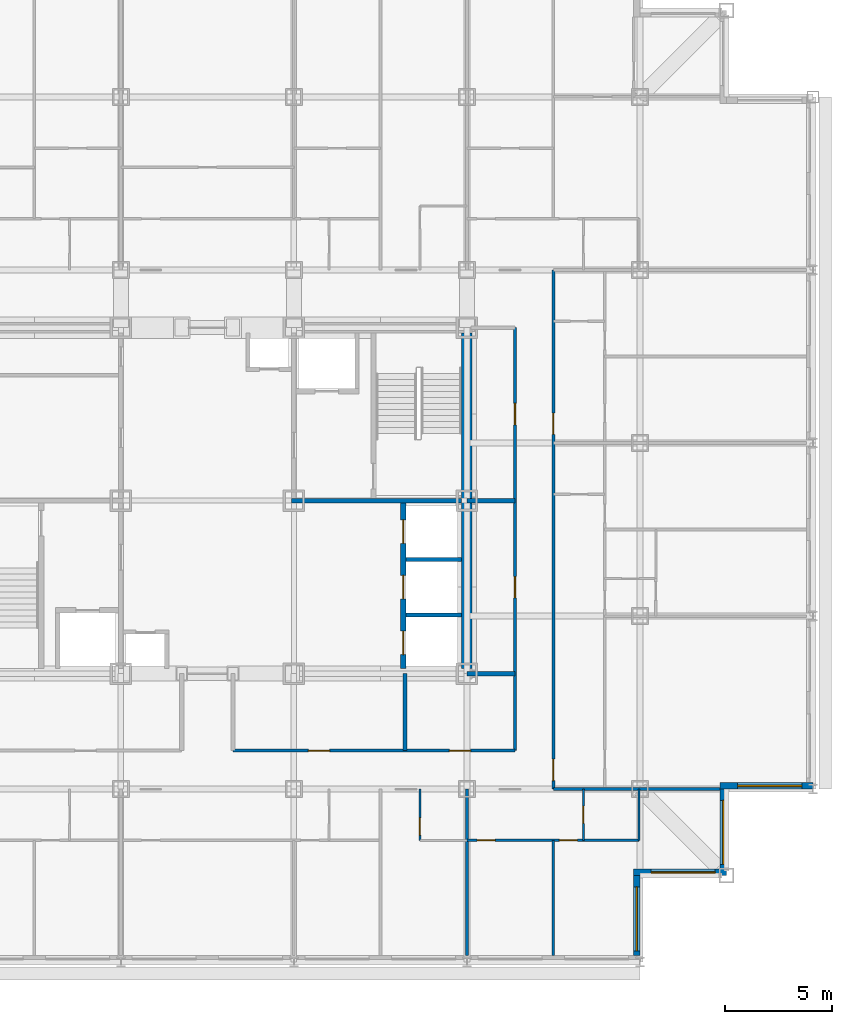
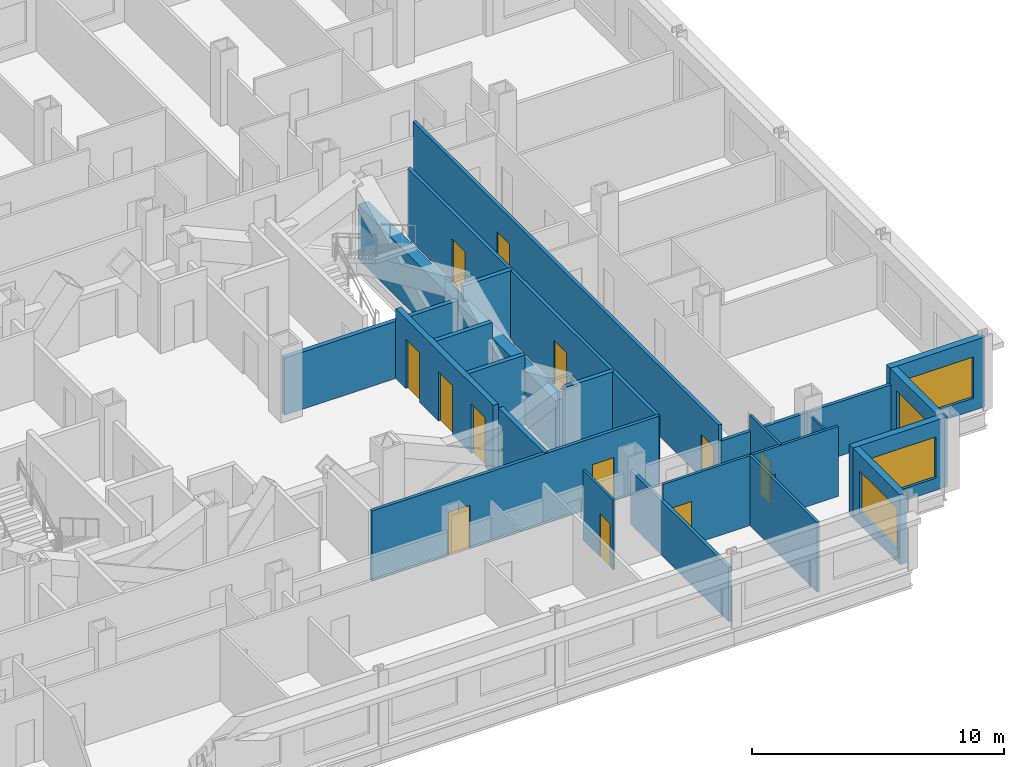
# One storey, part 7 of 12: 22 walls, 13 doors, 4 windows, 17 openings.
"""IFC4 building model written with IfcOpenShell, lengths in metres."""

import ifcopenshell
import ifcopenshell.guid

model = None  # the IFC model being written
_history = None  # IfcOwnerHistory: only IFC2X3 demands one
_inside = {}  # id of a spatial element -> (the spatial element, [elements in it])
_under = {}  # id of a project, library or spatial element -> (it, [spatial elements below it])
_declared = {}  # id of a project -> (the project, [libraries it declares])
_typed = {}  # id of a type object -> (the type object, [elements of that type])
_made_of = {}  # id of a material, layer set ... -> (it, [elements and type objects made of it])


def new_model(schema):
    """Start an empty IFC model of exactly this schema.

    Asked for "IFC4X3", IfcOpenShell would pick the latest addendum, in which some entities
    have other attributes; the version numbers below select the first issue.
    IFC2X3 requires an IfcOwnerHistory on every rooted entity: one is made here for all.
    """
    global model, _history
    if schema == "IFC4X3":
        model = ifcopenshell.file(schema_version=(4, 3, 0, 0))
    else:
        model = ifcopenshell.file(schema=schema)
    _inside.clear()
    _under.clear()
    _declared.clear()
    _typed.clear()
    _made_of.clear()
    _history = None
    if model.schema == "IFC2X3":
        org = make("IfcOrganization", Name="unknown")
        user = make(
            "IfcPersonAndOrganization",
            ThePerson=make("IfcPerson", FamilyName="unknown"),
            TheOrganization=org,
        )
        app = make(
            "IfcApplication",
            ApplicationDeveloper=org,
            Version="unknown",
            ApplicationFullName="unknown",
            ApplicationIdentifier="unknown",
        )
        _history = make(
            "IfcOwnerHistory",
            OwningUser=user,
            OwningApplication=app,
            ChangeAction="ADDED",
            CreationDate=0,
        )
    return model


def make(cls, **values):
    """One entity of the class cls with the attributes given. An attribute that is None is left unset."""
    return model.create_entity(
        cls, **{name: value for name, value in values.items() if value is not None}
    )


def rooted(cls, **values):
    """An entity with a GlobalId (a new one), such as an element, a storey or a relation."""
    return make(cls, GlobalId=ifcopenshell.guid.new(), OwnerHistory=_history, **values)


def si_unit(unit_type, name, prefix=None):
    """IfcSIUnit, for example si_unit("LENGTHUNIT", "METRE", prefix="MILLI")."""
    return make("IfcSIUnit", UnitType=unit_type, Prefix=prefix, Name=name)


def assignment(units):
    """IfcUnitAssignment: the units of a project."""
    return None if units is None else make("IfcUnitAssignment", Units=units)


def point(xyz):
    """IfcCartesianPoint."""
    return None if xyz is None else make("IfcCartesianPoint", Coordinates=xyz)


def direction(xyz):
    """IfcDirection."""
    return None if xyz is None else make("IfcDirection", DirectionRatios=xyz)


def frame(location, z_axis=None, x_axis=None):
    """IfcAxis2Placement3D, a coordinate frame: its origin and axes. An axis left out is left unset."""
    return make(
        "IfcAxis2Placement3D",
        Location=point(location),
        Axis=direction(z_axis),
        RefDirection=direction(x_axis),
    )


def frame_2d(location, x_axis=None):
    """IfcAxis2Placement2D, a coordinate frame in the plane: its origin and x axis."""
    return make(
        "IfcAxis2Placement2D", Location=point(location), RefDirection=direction(x_axis)
    )


def origin():
    """The frame at (0, 0, 0) with its axes left unset."""
    return frame((0.0, 0.0, 0.0))


def place(relative_to, where):
    """IfcLocalPlacement: puts the frame where relative to a parent placement (None: the world)."""
    return make(
        "IfcLocalPlacement", PlacementRelTo=relative_to, RelativePlacement=where
    )


def context(
    kind, dimensions, precision=None, world=None, true_north=None, identifier=None
):
    """IfcGeometricRepresentationContext, for example the 3D "Model" context."""
    return make(
        "IfcGeometricRepresentationContext",
        ContextIdentifier=identifier,
        ContextType=kind,
        CoordinateSpaceDimension=dimensions,
        Precision=precision,
        WorldCoordinateSystem=world,
        TrueNorth=true_north,
    )


def subcontext(parent, identifier, kind, view, scale=None):
    """IfcGeometricRepresentationSubContext, for example "Body" below "Model"."""
    return make(
        "IfcGeometricRepresentationSubContext",
        ContextIdentifier=identifier,
        ContextType=kind,
        ParentContext=parent,
        TargetScale=scale,
        TargetView=view,
    )


def project(units=None, contexts=None):
    """IfcProject with its units and contexts."""
    return rooted(
        "IfcProject",
        Name="project",
        RepresentationContexts=contexts,
        UnitsInContext=assignment(units),
    )


def spatial(cls, under=None, at=None, **own):
    """A site, building, storey or space (cls), placed at a placement, below another one or the project."""
    s = rooted(cls, ObjectPlacement=at, **own)
    if under is not None:
        _under.setdefault(under.id(), (under, []))[1].append(s)
    return s


def profile(cls, at=None, kind="AREA", **sizes):
    """A parametric profile (cls). Its sizes go by their IFC names, for example OverallWidth=200.0."""
    return make(cls, ProfileType=kind, Position=at, **sizes)


def rectangle(**sizes):
    """IfcRectangleProfileDef."""
    return profile("IfcRectangleProfileDef", **sizes)


def extrude(swept, where, along, depth):
    """IfcExtrudedAreaSolid: the profile swept, set in the frame where, extruded along a direction by depth."""
    return make(
        "IfcExtrudedAreaSolid",
        SweptArea=swept,
        Position=where,
        ExtrudedDirection=direction(along),
        Depth=depth,
    )


def shape(context_of_items, identifier, shape_type, items):
    """IfcShapeRepresentation: the items that make up one representation, for example the "Body"."""
    return make(
        "IfcShapeRepresentation",
        ContextOfItems=context_of_items,
        RepresentationIdentifier=identifier,
        RepresentationType=shape_type,
        Items=items,
    )


def material(Name=None, Category=None):
    """IfcMaterial."""
    return make("IfcMaterial", Name=Name, Category=Category)


def layer(
    of_material, thickness, ventilated=None, Name=None, Category=None, Priority=None
):
    """IfcMaterialLayer: one layer of a wall or slab, of a material (None: an air gap)."""
    return make(
        "IfcMaterialLayer",
        Material=of_material,
        LayerThickness=thickness,
        IsVentilated=ventilated,
        Name=Name,
        Category=Category,
        Priority=Priority,
    )


def layer_set(layers, Name=None):
    """IfcMaterialLayerSet."""
    return make("IfcMaterialLayerSet", MaterialLayers=layers, LayerSetName=Name)


def made_of(thing, what):
    """Note that an element or type object is made of a material, layer set ...; save() writes the relation."""
    if what is not None:
        _made_of.setdefault(what.id(), (what, []))[1].append(thing)
    return thing


def type_object(cls, material=None, **own):
    """A type object (cls), such as IfcWallType, which elements share."""
    return made_of(rooted(cls, **own), material)


def element(
    cls,
    number,
    at=None,
    inside=None,
    cuts=None,
    type_object=None,
    material=None,
    context=None,
    identifier="Body",
    shape_type=None,
    held_by="IfcProductDefinitionShape",
    body=None,
    shapes=None,
    **own,
):
    """One element of the class cls, such as IfcWall. Its Tag is "e" and its number.

    at: its placement. inside: the storey or other place that contains it. cuts: it is an
    opening in that element (IfcRelVoidsElement). A single representation is given by context,
    identifier, shape_type and body (its items); several are given by shapes. held_by: the class
    of the entity that holds the representations. save() writes the other relations.
    """
    e = rooted(cls, Tag="e%d" % number, ObjectPlacement=at, **own)
    if body is not None:
        shapes = [shape(context, identifier, shape_type, body)]
    if shapes is not None:
        e.Representation = make(held_by, Representations=shapes)
    if inside is not None:
        _inside.setdefault(inside.id(), (inside, []))[1].append(e)
    if cuts is not None:
        rooted(
            "IfcRelVoidsElement", RelatingBuildingElement=cuts, RelatedOpeningElement=e
        )
    if type_object is not None:
        _typed.setdefault(type_object.id(), (type_object, []))[1].append(e)
    return made_of(e, material)


def fill(opening, filler):
    """IfcRelFillsElement: the door or window that sits in an opening."""
    return rooted(
        "IfcRelFillsElement",
        RelatingOpeningElement=opening,
        RelatedBuildingElement=filler,
    )


def aggregate(whole, parts):
    """IfcRelAggregates: a whole, such as a stair, and the parts it consists of."""
    return rooted("IfcRelAggregates", RelatingObject=whole, RelatedObjects=parts)


def save(model, path):
    """Write the relations noted so far, then the file.

    IfcRelAggregates (storeys below a building ...), IfcRelContainedInSpatialStructure (elements
    in a storey), IfcRelDefinesByType, IfcRelAssociatesMaterial and IfcRelDeclares: one each for
    every whole, place, type object, material and project.
    """
    for whole, parts in _under.values():
        aggregate(whole, parts)
    for where, things in _inside.values():
        rooted(
            "IfcRelContainedInSpatialStructure",
            RelatedElements=things,
            RelatingStructure=where,
        )
    for kind, things in _typed.values():
        rooted("IfcRelDefinesByType", RelatedObjects=things, RelatingType=kind)
    for what, things in _made_of.values():
        rooted("IfcRelAssociatesMaterial", RelatedObjects=things, RelatingMaterial=what)
    for by, libraries in _declared.values():
        rooted("IfcRelDeclares", RelatingContext=by, RelatedDefinitions=libraries)
    model.write(path)


model = new_model("IFC4")

# Units and contexts
model_context = context("Model", 3, precision=1e-05, world=origin(), true_north=direction((0.0, 1.0)))
body_context = subcontext(model_context, "Body", "Model", "MODEL_VIEW")
ifc_project = project(units=[si_unit("LENGTHUNIT", "METRE"), si_unit("AREAUNIT", "SQUARE_METRE"), si_unit("VOLUMEUNIT", "CUBIC_METRE"), si_unit("PLANEANGLEUNIT", "RADIAN"), si_unit("MASSUNIT", "GRAM", prefix="KILO")], contexts=[model_context])

# Site, building, storey
site_placement = place(None, origin())
site = spatial("IfcSite", under=ifc_project, at=site_placement, CompositionType="ELEMENT")
building_placement = place(site_placement, origin())
building = spatial("IfcBuilding", under=site, at=building_placement, Name="Kopane Lantern Tower", CompositionType="ELEMENT")
storey_placement = place(building_placement, frame((0.0, 0.0, 224.39990234375)))
storey = spatial("IfcBuildingStorey", under=building, at=storey_placement, Name="L58", CompositionType="ELEMENT", Elevation=224.39990234375)

# Wall, openings, doors
ifc_material_1 = material(Name="Gypsum board on steel studs", Category="steel")
ifc_layer_1 = layer(ifc_material_1, 0.1201171875)
ifc_layer_set_1 = layer_set([ifc_layer_1], Name="APARTMENT INTERNAL WALL 120")
wall_type_1 = type_object("IfcWallType", Name="APARTMENT INTERNAL WALL 120", PredefinedType="PARTITIONING", material=ifc_layer_set_1)
wall_1_placement = place(storey_placement, frame((40.5, 16.5, 0.0), z_axis=(0.0, 0.0, 1.0), x_axis=(1.0, 0.0, 0.0)))
wall_1 = element("IfcWall", 1, at=wall_1_placement, inside=storey, type_object=wall_type_1, Name="Apartment Internal Wall 120 L58", PredefinedType="PARTITIONING", context=body_context, shape_type="SweptSolid", body=[
    extrude(rectangle(XDim=8.050048828125, YDim=0.1201171875, at=frame_2d((4.02490234375, 0.0))), origin(), (0.0, 0.0, 1.0), 3.39013671875),
])
opening_1_placement = place(wall_1_placement, frame((0.47509765625, 0.0, 0.0)))
opening_1 = element("IfcOpeningElement", 2, at=opening_1_placement, cuts=wall_1, Name="Opening L58-055", PredefinedType="OPENING", context=body_context, shape_type="SweptSolid", body=[
    extrude(rectangle(XDim=0.85009765625, YDim=2.10009765625, at=frame_2d((0.425048828125, 1.050048828125))), frame((0.0, 0.070068359375, 0.0), z_axis=(0.0, -1.0, 0.0), x_axis=(1.0, 0.0, 0.0)), (0.0, 0.0, 1.0), 0.14013671875),
])
opening_2_placement = place(wall_1_placement, frame((4.324951171875, 0.0, 0.0)))
opening_2 = element("IfcOpeningElement", 3, at=opening_2_placement, cuts=wall_1, Name="Opening L58-057", PredefinedType="OPENING", context=body_context, shape_type="SweptSolid", body=[
    extrude(rectangle(XDim=0.85009765625, YDim=2.10009765625, at=frame_2d((0.425048828125, 1.050048828125))), frame((0.0, 0.070068359375, 0.0), z_axis=(0.0, -1.0, 0.0), x_axis=(1.0, 0.0, 0.0)), (0.0, 0.0, 1.0), 0.14013671875),
])
ifc_material_2 = material(Name="Timber door set", Category="wood")
door_type_1 = type_object("IfcDoorType", Name="DOOR D4 850x2100", OperationType="SINGLE_SWING_LEFT", PredefinedType="DOOR", material=ifc_material_2)
door_1_placement = place(opening_1_placement, origin())
door_1 = element("IfcDoor", 4, at=door_1_placement, inside=storey, type_object=door_type_1, Name="Door L58-055", OperationType="SINGLE_SWING_LEFT", OverallHeight=2.10009765625, OverallWidth=0.85009765625, PredefinedType="DOOR", context=body_context, shape_type="SweptSolid", body=[
    extrude(rectangle(XDim=0.85009765625, YDim=2.10009765625, at=frame_2d((0.425048828125, 1.050048828125))), frame((0.0, 0.02490234375, 0.0), z_axis=(0.0, -1.0, 0.0), x_axis=(1.0, 0.0, 0.0)), (0.0, 0.0, 1.0), 0.050048828125),
])
fill(opening_1, door_1)
door_2_placement = place(opening_2_placement, origin())
door_2 = element("IfcDoor", 5, at=door_2_placement, inside=storey, type_object=door_type_1, Name="Door L58-057", OperationType="SINGLE_SWING_RIGHT", OverallHeight=2.10009765625, OverallWidth=0.85009765625, PredefinedType="DOOR", context=body_context, shape_type="SweptSolid", body=[
    extrude(rectangle(XDim=0.85009765625, YDim=2.10009765625, at=frame_2d((0.425048828125, 1.050048828125))), frame((0.0, 0.02490234375, 0.0), z_axis=(0.0, -1.0, 0.0), x_axis=(1.0, 0.0, 0.0)), (0.0, 0.0, 1.0), 0.050048828125),
])
fill(opening_2, door_2)

# Wall
wall_2_placement = place(storey_placement, frame((44.550048828125, 16.5, 0.0), z_axis=(0.0, 0.0, 1.0), x_axis=(0.0, -1.0, 0.0)))
element("IfcWall", 6, at=wall_2_placement, inside=storey, type_object=wall_type_1, Name="Apartment Internal Wall 120 L58", PredefinedType="PARTITIONING", context=body_context, shape_type="SweptSolid", body=[
    extrude(rectangle(XDim=5.39990234375, YDim=0.1201171875, at=frame_2d((2.699951171875, 0.0))), origin(), (0.0, 0.0, 1.0), 3.39013671875),
])

# Wall, opening, door
ifc_material_3 = material(Name="Moisture-resistant board on steel studs", Category="steel")
ifc_layer_2 = layer(ifc_material_3, 0.10009765625)
ifc_layer_set_2 = layer_set([ifc_layer_2], Name="BATHROOM WALL 100")
wall_type_2 = type_object("IfcWallType", Name="BATHROOM WALL 100", PredefinedType="PARTITIONING", material=ifc_layer_set_2)
wall_3_placement = place(storey_placement, frame((38.300048828125, 18.89990234375, 0.0), z_axis=(0.0, 0.0, 1.0), x_axis=(0.0, -1.0, 0.0)))
wall_3 = element("IfcWall", 7, at=wall_3_placement, inside=storey, type_object=wall_type_2, Name="Bathroom Wall 100 L58", PredefinedType="PARTITIONING", context=body_context, shape_type="SweptSolid", body=[
    extrude(rectangle(XDim=2.39990234375, YDim=0.10009765625, at=frame_2d((1.199951171875, 0.0))), origin(), (0.0, 0.0, 1.0), 3.39013671875),
])
opening_3_placement = place(wall_3_placement, frame((1.35009765625, 0.0, 0.0)))
opening_3 = element("IfcOpeningElement", 8, at=opening_3_placement, cuts=wall_3, Name="Opening L58-020", PredefinedType="OPENING", context=body_context, shape_type="SweptSolid", body=[
    extrude(rectangle(XDim=0.800048828125, YDim=2.10009765625, at=frame_2d((0.39990234375, 1.050048828125))), frame((0.0, 0.06005859375, 0.0), z_axis=(0.0, -1.0, 0.0), x_axis=(1.0, 0.0, 0.0)), (0.0, 0.0, 1.0), 0.1201171875),
])
ifc_material_4 = material(Name="Timber door set", Category="wood")
door_type_2 = type_object("IfcDoorType", Name="DOOR D2 800x2100", OperationType="SINGLE_SWING_LEFT", PredefinedType="DOOR", material=ifc_material_4)
door_3_placement = place(opening_3_placement, origin())
door_3 = element("IfcDoor", 9, at=door_3_placement, inside=storey, type_object=door_type_2, Name="Door L58-020", OperationType="SINGLE_SWING_RIGHT", OverallHeight=2.10009765625, OverallWidth=0.800048828125, PredefinedType="DOOR", context=body_context, shape_type="SweptSolid", body=[
    extrude(rectangle(XDim=0.800048828125, YDim=2.10009765625, at=frame_2d((0.39990234375, 1.050048828125))), frame((0.0, 0.02490234375, 0.0), z_axis=(0.0, -1.0, 0.0), x_axis=(1.0, 0.0, 0.0)), (0.0, 0.0, 1.0), 0.050048828125),
])
fill(opening_3, door_3)

wall_4_placement = place(storey_placement, frame((45.949951171875, 18.89990234375, 0.0), z_axis=(0.0, 0.0, 1.0), x_axis=(0.0, -1.0, 0.0)))
wall_4 = element("IfcWall", 10, at=wall_4_placement, inside=storey, type_object=wall_type_2, Name="Bathroom Wall 100 L58", PredefinedType="PARTITIONING", context=body_context, shape_type="SweptSolid", body=[
    extrude(rectangle(XDim=2.39990234375, YDim=0.10009765625, at=frame_2d((1.199951171875, 0.0))), origin(), (0.0, 0.0, 1.0), 3.39013671875),
])
opening_4_placement = place(wall_4_placement, frame((0.800048828125, 0.0, 0.0)))
opening_4 = element("IfcOpeningElement", 11, at=opening_4_placement, cuts=wall_4, Name="Opening L58-056", PredefinedType="OPENING", context=body_context, shape_type="SweptSolid", body=[
    extrude(rectangle(XDim=0.800048828125, YDim=2.10009765625, at=frame_2d((0.39990234375, 1.050048828125))), frame((0.0, 0.06005859375, 0.0), z_axis=(0.0, -1.0, 0.0), x_axis=(1.0, 0.0, 0.0)), (0.0, 0.0, 1.0), 0.1201171875),
])
door_4_placement = place(opening_4_placement, origin())
door_4 = element("IfcDoor", 12, at=door_4_placement, inside=storey, type_object=door_type_2, Name="Door L58-056", OperationType="SINGLE_SWING_LEFT", OverallHeight=2.10009765625, OverallWidth=0.800048828125, PredefinedType="DOOR", context=body_context, shape_type="SweptSolid", body=[
    extrude(rectangle(XDim=0.800048828125, YDim=2.10009765625, at=frame_2d((0.39990234375, 1.050048828125))), frame((0.0, 0.02490234375, 0.0), z_axis=(0.0, -1.0, 0.0), x_axis=(1.0, 0.0, 0.0)), (0.0, 0.0, 1.0), 0.050048828125),
])
fill(opening_4, door_4)

# Walls
wall_5_placement = place(storey_placement, frame((48.550048828125, 18.89990234375, 0.0), z_axis=(0.0, 0.0, 1.0), x_axis=(0.0, -1.0, 0.0)))
element("IfcWall", 13, at=wall_5_placement, inside=storey, type_object=wall_type_2, Name="Bathroom Wall 100 L58", PredefinedType="PARTITIONING", context=body_context, shape_type="SweptSolid", body=[
    extrude(rectangle(XDim=2.39990234375, YDim=0.10009765625, at=frame_2d((1.199951171875, 0.0))), origin(), (0.0, 0.0, 1.0), 2.6279296875),
])
ifc_material_5 = material(Name="Gypsum shaft wall EI 120", Category="gypsum")
ifc_layer_3 = layer(ifc_material_5, 0.5)
ifc_layer_set_3 = layer_set([ifc_layer_3], Name="CORE PERIMETER WALL 500 EI 120")
wall_type_3 = type_object("IfcWallType", Name="CORE PERIMETER WALL 500 EI 120", PredefinedType="SOLIDWALL", material=ifc_layer_set_3)
wall_6_placement = place(storey_placement, frame((40.5, 24.550048828125, 0.0), z_axis=(0.0, 0.0, 1.0), x_axis=(0.0, 1.0, 0.0)))
element("IfcWall", 14, at=wall_6_placement, inside=storey, type_object=wall_type_3, Name="Core shaft wall L58 PE", PredefinedType="SOLIDWALL", context=body_context, shape_type="SweptSolid", body=[
    extrude(rectangle(XDim=15.699951171875, YDim=0.5, at=frame_2d((7.85009765625, 0.0))), origin(), (0.0, 0.0, 1.0), 2.6279296875),
])

# Wall, openings, doors
ifc_material_6 = material(Name="Gypsum shaft wall EI 120", Category="gypsum")
ifc_layer_4 = layer(ifc_material_6, 0.25)
ifc_layer_set_4 = layer_set([ifc_layer_4], Name="CORE SHAFT WALL 250 EI 120")
wall_type_4 = type_object("IfcWallType", Name="CORE SHAFT WALL 250 EI 120", PredefinedType="SOLIDWALL", material=ifc_layer_set_4)
wall_7_placement = place(storey_placement, frame((37.52490234375, 24.550048828125, 0.0), z_axis=(0.0, 0.0, 1.0), x_axis=(0.0, 1.0, 0.0)))
wall_7 = element("IfcWall", 15, at=wall_7_placement, inside=storey, type_object=wall_type_4, Name="Core shaft wall L58 XLR", PredefinedType="SOLIDWALL", context=body_context, shape_type="SweptSolid", body=[
    extrude(rectangle(XDim=7.75, YDim=0.25, at=frame_2d((3.875, 0.0))), origin(), (0.0, 0.0, 1.0), 3.39013671875),
])
opening_5_placement = place(wall_7_placement, frame((0.64990234375, 0.0, 0.0)))
opening_5 = element("IfcOpeningElement", 16, at=opening_5_placement, cuts=wall_7, Name="Opening 58.LD-LR1", PredefinedType="OPENING", context=body_context, shape_type="SweptSolid", body=[
    extrude(rectangle(XDim=1.10009765625, YDim=2.39990234375, at=frame_2d((0.550048828125, 1.199951171875))), frame((0.0, 0.135009765625, 0.0), z_axis=(0.0, -1.0, 0.0), x_axis=(1.0, 0.0, 0.0)), (0.0, 0.0, 1.0), 0.27001953125),
])
opening_6_placement = place(wall_7_placement, frame((3.25, 0.0, 0.0)))
opening_6 = element("IfcOpeningElement", 17, at=opening_6_placement, cuts=wall_7, Name="Opening 58.LD-LR2", PredefinedType="OPENING", context=body_context, shape_type="SweptSolid", body=[
    extrude(rectangle(XDim=1.10009765625, YDim=2.39990234375, at=frame_2d((0.550048828125, 1.199951171875))), frame((0.0, 0.135009765625, 0.0), z_axis=(0.0, -1.0, 0.0), x_axis=(1.0, 0.0, 0.0)), (0.0, 0.0, 1.0), 0.27001953125),
])
opening_7_placement = place(wall_7_placement, frame((5.85009765625, 0.0, 0.0)))
opening_7 = element("IfcOpeningElement", 18, at=opening_7_placement, cuts=wall_7, Name="Opening 58.LD-LR3", PredefinedType="OPENING", context=body_context, shape_type="SweptSolid", body=[
    extrude(rectangle(XDim=1.10009765625, YDim=2.39990234375, at=frame_2d((0.550048828125, 1.199951171875))), frame((0.0, 0.135009765625, 0.0), z_axis=(0.0, -1.0, 0.0), x_axis=(1.0, 0.0, 0.0)), (0.0, 0.0, 1.0), 0.27001953125),
])
ifc_material_7 = material(Name="Steel door set", Category="steel")
door_type_3 = type_object("IfcDoorType", Name="LIFT LANDING DOOR 1100x2400 FD60", OperationType="DOUBLE_DOOR_SLIDING", PredefinedType="DOOR", material=ifc_material_7)
door_5_placement = place(opening_5_placement, origin())
door_5 = element("IfcDoor", 19, at=door_5_placement, inside=storey, type_object=door_type_3, Name="Landing door LR1 L58", OperationType="DOUBLE_DOOR_SLIDING", OverallHeight=2.39990234375, OverallWidth=1.10009765625, PredefinedType="DOOR", context=body_context, shape_type="SweptSolid", body=[
    extrude(rectangle(XDim=1.10009765625, YDim=2.39990234375, at=frame_2d((0.550048828125, 1.199951171875))), frame((0.0, 0.02490234375, 0.0), z_axis=(0.0, -1.0, 0.0), x_axis=(1.0, 0.0, 0.0)), (0.0, 0.0, 1.0), 0.050048828125),
])
fill(opening_5, door_5)
door_6_placement = place(opening_6_placement, origin())
door_6 = element("IfcDoor", 20, at=door_6_placement, inside=storey, type_object=door_type_3, Name="Landing door LR2 L58", OperationType="DOUBLE_DOOR_SLIDING", OverallHeight=2.39990234375, OverallWidth=1.10009765625, PredefinedType="DOOR", context=body_context, shape_type="SweptSolid", body=[
    extrude(rectangle(XDim=1.10009765625, YDim=2.39990234375, at=frame_2d((0.550048828125, 1.199951171875))), frame((0.0, 0.02490234375, 0.0), z_axis=(0.0, -1.0, 0.0), x_axis=(1.0, 0.0, 0.0)), (0.0, 0.0, 1.0), 0.050048828125),
])
fill(opening_6, door_6)
door_7_placement = place(opening_7_placement, origin())
door_7 = element("IfcDoor", 21, at=door_7_placement, inside=storey, type_object=door_type_3, Name="Landing door LR3 L58", OperationType="DOUBLE_DOOR_SLIDING", OverallHeight=2.39990234375, OverallWidth=1.10009765625, PredefinedType="DOOR", context=body_context, shape_type="SweptSolid", body=[
    extrude(rectangle(XDim=1.10009765625, YDim=2.39990234375, at=frame_2d((0.550048828125, 1.199951171875))), frame((0.0, 0.02490234375, 0.0), z_axis=(0.0, -1.0, 0.0), x_axis=(1.0, 0.0, 0.0)), (0.0, 0.0, 1.0), 0.050048828125),
])
fill(opening_7, door_7)

ifc_material_8 = material(Name="Gypsum board on steel studs", Category="steel")
ifc_layer_5 = layer(ifc_material_8, 0.14990234375)
ifc_layer_set_5 = layer_set([ifc_layer_5], Name="CORRIDOR WALL 150 EI 60")
wall_type_5 = type_object("IfcWallType", Name="CORRIDOR WALL 150 EI 60", PredefinedType="PARTITIONING", material=ifc_layer_set_5)
wall_8_placement = place(storey_placement, frame((44.550048828125, 18.89990234375, 0.0), z_axis=(0.0, 0.0, 1.0), x_axis=(0.0, 1.0, 0.0)))
wall_8 = element("IfcWall", 22, at=wall_8_placement, inside=storey, type_object=wall_type_5, Name="Corridor Wall 150 Ei 60 L58", PredefinedType="PARTITIONING", context=body_context, shape_type="SweptSolid", body=[
    extrude(rectangle(XDim=24.300048828125, YDim=0.14990234375, at=frame_2d((12.14990234375, 0.0))), origin(), (0.0, 0.0, 1.0), 3.39013671875),
])
opening_8_placement = place(wall_8_placement, frame((0.39990234375, 0.0, 0.0)))
opening_8 = element("IfcOpeningElement", 23, at=opening_8_placement, cuts=wall_8, Name="Opening L58-042", PredefinedType="OPENING", context=body_context, shape_type="SweptSolid", body=[
    extrude(rectangle(XDim=1.0, YDim=2.10009765625, at=frame_2d((0.5, 1.050048828125))), frame((0.0, 0.0849609375, 0.0), z_axis=(0.0, -1.0, 0.0), x_axis=(1.0, 0.0, 0.0)), (0.0, 0.0, 1.0), 0.169921875),
])
opening_9_placement = place(wall_8_placement, frame((16.60009765625, 0.0, 0.0)))
opening_9 = element("IfcOpeningElement", 24, at=opening_9_placement, cuts=wall_8, Name="Opening L58-048", PredefinedType="OPENING", context=body_context, shape_type="SweptSolid", body=[
    extrude(rectangle(XDim=1.0, YDim=2.10009765625, at=frame_2d((0.5, 1.050048828125))), frame((0.0, 0.0849609375, 0.0), z_axis=(0.0, -1.0, 0.0), x_axis=(1.0, 0.0, 0.0)), (0.0, 0.0, 1.0), 0.169921875),
])
ifc_material_9 = material(Name="Steel door set", Category="steel")
door_type_4 = type_object("IfcDoorType", Name="DOOR D3 1000x2100 FD30S", OperationType="SINGLE_SWING_LEFT", PredefinedType="DOOR", material=ifc_material_9)
door_8_placement = place(opening_8_placement, origin())
door_8 = element("IfcDoor", 25, at=door_8_placement, inside=storey, type_object=door_type_4, Name="Door L58-042", OperationType="SINGLE_SWING_RIGHT", OverallHeight=2.10009765625, OverallWidth=1.0, PredefinedType="DOOR", context=body_context, shape_type="SweptSolid", body=[
    extrude(rectangle(XDim=1.0, YDim=2.10009765625, at=frame_2d((0.5, 1.050048828125))), frame((0.0, 0.02490234375, 0.0), z_axis=(0.0, -1.0, 0.0), x_axis=(1.0, 0.0, 0.0)), (0.0, 0.0, 1.0), 0.050048828125),
])
fill(opening_8, door_8)
door_9_placement = place(opening_9_placement, origin())
door_9 = element("IfcDoor", 26, at=door_9_placement, inside=storey, type_object=door_type_4, Name="Door L58-048", OperationType="SINGLE_SWING_RIGHT", OverallHeight=2.10009765625, OverallWidth=1.0, PredefinedType="DOOR", context=body_context, shape_type="SweptSolid", body=[
    extrude(rectangle(XDim=1.0, YDim=2.10009765625, at=frame_2d((0.5, 1.050048828125))), frame((0.0, 0.02490234375, 0.0), z_axis=(0.0, -1.0, 0.0), x_axis=(1.0, 0.0, 0.0)), (0.0, 0.0, 1.0), 0.050048828125),
])
fill(opening_9, door_9)

wall_9_placement = place(storey_placement, frame((42.75, 20.699951171875, 0.0), z_axis=(0.0, 0.0, 1.0), x_axis=(0.0, 1.0, 0.0)))
wall_9 = element("IfcWall", 27, at=wall_9_placement, inside=storey, type_object=wall_type_5, Name="Corridor Wall 150 Ei 60 L58", PredefinedType="PARTITIONING", context=body_context, shape_type="SweptSolid", body=[
    extrude(rectangle(XDim=19.800048828125, YDim=0.14990234375, at=frame_2d((9.89990234375, 0.0))), origin(), (0.0, 0.0, 1.0), 3.39013671875),
])
opening_10_placement = place(wall_9_placement, frame((7.14990234375, 0.0, 0.0)))
opening_10 = element("IfcOpeningElement", 28, at=opening_10_placement, cuts=wall_9, Name="Opening L58-005", PredefinedType="OPENING", context=body_context, shape_type="SweptSolid", body=[
    extrude(rectangle(XDim=1.0, YDim=2.10009765625, at=frame_2d((0.5, 1.050048828125))), frame((0.0, 0.0849609375, 0.0), z_axis=(0.0, -1.0, 0.0), x_axis=(1.0, 0.0, 0.0)), (0.0, 0.0, 1.0), 0.169921875),
])
opening_11_placement = place(wall_9_placement, frame((15.25, 0.0, 0.0)))
opening_11 = element("IfcOpeningElement", 29, at=opening_11_placement, cuts=wall_9, Name="Opening L58-006", PredefinedType="OPENING", context=body_context, shape_type="SweptSolid", body=[
    extrude(rectangle(XDim=1.0, YDim=2.10009765625, at=frame_2d((0.5, 1.050048828125))), frame((0.0, 0.0849609375, 0.0), z_axis=(0.0, -1.0, 0.0), x_axis=(1.0, 0.0, 0.0)), (0.0, 0.0, 1.0), 0.169921875),
])
ifc_material_10 = material(Name="Steel door set", Category="steel")
door_type_5 = type_object("IfcDoorType", Name="DOOR D5 1000x2100 FD60", OperationType="SINGLE_SWING_LEFT", PredefinedType="DOOR", material=ifc_material_10)
door_10_placement = place(opening_10_placement, origin())
door_10 = element("IfcDoor", 30, at=door_10_placement, inside=storey, type_object=door_type_5, Name="Door L58-005", OperationType="SINGLE_SWING_LEFT", OverallHeight=2.10009765625, OverallWidth=1.0, PredefinedType="DOOR", context=body_context, shape_type="SweptSolid", body=[
    extrude(rectangle(XDim=1.0, YDim=2.10009765625, at=frame_2d((0.5, 1.050048828125))), frame((0.0, 0.02490234375, 0.0), z_axis=(0.0, -1.0, 0.0), x_axis=(1.0, 0.0, 0.0)), (0.0, 0.0, 1.0), 0.050048828125),
])
fill(opening_10, door_10)
door_11_placement = place(opening_11_placement, origin())
door_11 = element("IfcDoor", 31, at=door_11_placement, inside=storey, type_object=door_type_5, Name="Door L58-006", OperationType="SINGLE_SWING_RIGHT", OverallHeight=2.10009765625, OverallWidth=1.0, PredefinedType="DOOR", context=body_context, shape_type="SweptSolid", body=[
    extrude(rectangle(XDim=1.0, YDim=2.10009765625, at=frame_2d((0.5, 1.050048828125))), frame((0.0, 0.02490234375, 0.0), z_axis=(0.0, -1.0, 0.0), x_axis=(1.0, 0.0, 0.0)), (0.0, 0.0, 1.0), 0.050048828125),
])
fill(opening_11, door_11)

wall_10_placement = place(storey_placement, frame((29.56005859375, 20.699951171875, 0.0), z_axis=(0.0, 0.0, 1.0), x_axis=(1.0, 0.0, 0.0)))
wall_10 = element("IfcWall", 32, at=wall_10_placement, inside=storey, type_object=wall_type_5, Name="Corridor Wall 150 Ei 60 L58", PredefinedType="PARTITIONING", context=body_context, shape_type="SweptSolid", body=[
    extrude(rectangle(XDim=13.18994140625, YDim=0.14990234375, at=frame_2d((6.594970703125, 0.0))), origin(), (0.0, 0.0, 1.0), 3.39013671875),
])
opening_12_placement = place(wall_10_placement, frame((3.517822265625, 0.0, 0.0)))
opening_12 = element("IfcOpeningElement", 33, at=opening_12_placement, cuts=wall_10, Name="Opening L58-010", PredefinedType="OPENING", context=body_context, shape_type="SweptSolid", body=[
    extrude(rectangle(XDim=1.0, YDim=2.10009765625, at=frame_2d((0.5, 1.050048828125))), frame((0.0, 0.0849609375, 0.0), z_axis=(0.0, -1.0, 0.0), x_axis=(1.0, 0.0, 0.0)), (0.0, 0.0, 1.0), 0.169921875),
])
opening_13_placement = place(wall_10_placement, frame((10.117919921875, 0.0, 0.0)))
opening_13 = element("IfcOpeningElement", 34, at=opening_13_placement, cuts=wall_10, Name="Opening L58-011", PredefinedType="OPENING", context=body_context, shape_type="SweptSolid", body=[
    extrude(rectangle(XDim=1.0, YDim=2.10009765625, at=frame_2d((0.5, 1.050048828125))), frame((0.0, 0.0849609375, 0.0), z_axis=(0.0, -1.0, 0.0), x_axis=(1.0, 0.0, 0.0)), (0.0, 0.0, 1.0), 0.169921875),
])
door_12_placement = place(opening_12_placement, origin())
door_12 = element("IfcDoor", 35, at=door_12_placement, inside=storey, type_object=door_type_5, Name="Door L58-010", OperationType="SINGLE_SWING_LEFT", OverallHeight=2.10009765625, OverallWidth=1.0, PredefinedType="DOOR", context=body_context, shape_type="SweptSolid", body=[
    extrude(rectangle(XDim=1.0, YDim=2.10009765625, at=frame_2d((0.5, 1.050048828125))), frame((0.0, 0.02490234375, 0.0), z_axis=(0.0, -1.0, 0.0), x_axis=(1.0, 0.0, 0.0)), (0.0, 0.0, 1.0), 0.050048828125),
])
fill(opening_12, door_12)
door_13_placement = place(opening_13_placement, origin())
door_13 = element("IfcDoor", 36, at=door_13_placement, inside=storey, type_object=door_type_5, Name="Door L58-011", OperationType="SINGLE_SWING_RIGHT", OverallHeight=2.10009765625, OverallWidth=1.0, PredefinedType="DOOR", context=body_context, shape_type="SweptSolid", body=[
    extrude(rectangle(XDim=1.0, YDim=2.10009765625, at=frame_2d((0.5, 1.050048828125))), frame((0.0, 0.02490234375, 0.0), z_axis=(0.0, -1.0, 0.0), x_axis=(1.0, 0.0, 0.0)), (0.0, 0.0, 1.0), 0.050048828125),
])
fill(opening_13, door_13)

# Walls
ifc_material_11 = material(Name="Gypsum board on steel studs", Category="steel")
ifc_layer_6 = layer(ifc_material_11, 0.14990234375)
ifc_layer_set_6 = layer_set([ifc_layer_6], Name="DEMISING WALL 150 EI 60")
wall_type_6 = type_object("IfcWallType", Name="DEMISING WALL 150 EI 60", PredefinedType="PARTITIONING", material=ifc_layer_set_6)
wall_11_placement = place(storey_placement, frame((44.550048828125, 18.89990234375, 0.0), z_axis=(0.0, 0.0, 1.0), x_axis=(1.0, 0.0, 0.0)))
element("IfcWall", 37, at=wall_11_placement, inside=storey, type_object=wall_type_6, Name="Demising Wall 150 Ei 60 L58", PredefinedType="PARTITIONING", context=body_context, shape_type="SweptSolid", body=[
    extrude(rectangle(XDim=7.800048828125, YDim=0.14990234375, at=frame_2d((3.89990234375, 0.0))), origin(), (0.0, 0.0, 1.0), 2.6279296875),
])
wall_12_placement = place(storey_placement, frame((40.5, 18.89990234375, 0.0), z_axis=(0.0, 0.0, 1.0), x_axis=(0.0, -1.0, 0.0)))
element("IfcWall", 38, at=wall_12_placement, inside=storey, type_object=wall_type_6, Name="Demising Wall 150 Ei 60 L58", PredefinedType="PARTITIONING", context=body_context, shape_type="SweptSolid", body=[
    extrude(rectangle(XDim=7.7998046875, YDim=0.14990234375, at=frame_2d((3.89990234375, 0.0))), origin(), (0.0, 0.0, 1.0), 2.6279296875),
])

# Wall, opening, window
ifc_material_12 = material(Name="Terracotta rainscreen on light steel framing", Category="masonry")
ifc_layer_7 = layer(ifc_material_12, 0.300048828125)
ifc_layer_set_7 = layer_set([ifc_layer_7], Name="EXTERNAL WALL EW1 300 TERRACOTTA")
wall_type_7 = type_object("IfcWallType", Name="EXTERNAL WALL EW1 300 TERRACOTTA", PredefinedType="SOLIDWALL", material=ifc_layer_set_7)
wall_13_placement = place(storey_placement, frame((48.449951171875, 11.10009765625, 0.0), z_axis=(0.0, 0.0, 1.0), x_axis=(0.0, 1.0, 0.0)))
wall_13 = element("IfcWall", 39, at=wall_13_placement, inside=storey, type_object=wall_type_7, Name="External wall E L58", PredefinedType="SOLIDWALL", context=body_context, shape_type="SweptSolid", body=[
    extrude(rectangle(XDim=3.75, YDim=0.300048828125, at=frame_2d((1.875, 0.0))), origin(), (0.0, 0.0, 1.0), 3.39013671875),
])
opening_14_placement = place(wall_13_placement, frame((0.22509765625, 0.0, 0.60009765625)))
opening_14 = element("IfcOpeningElement", 40, at=opening_14_placement, cuts=wall_13, Name="Opening WR300200", PredefinedType="OPENING", context=body_context, shape_type="SweptSolid", body=[
    extrude(rectangle(XDim=3.0, YDim=2.0, at=frame_2d((1.5, 1.0))), frame((0.0, 0.159912109375, 0.0), z_axis=(0.0, -1.0, 0.0), x_axis=(1.0, 0.0, 0.0)), (0.0, 0.0, 1.0), 0.320068359375),
])
ifc_material_13 = material(Name="Aluminium and clear glass", Category="aluminium")
window_type = type_object("IfcWindowType", Name="RIBBON WINDOW WR300200 3000x2000", PartitioningType="SINGLE_PANEL", PredefinedType="WINDOW", material=ifc_material_13)
window_1_placement = place(opening_14_placement, origin())
window_1 = element("IfcWindow", 41, at=window_1_placement, inside=storey, type_object=window_type, Name="Window E L58", OverallHeight=2.0, OverallWidth=3.0, PartitioningType="SINGLE_PANEL", PredefinedType="WINDOW", context=body_context, shape_type="SweptSolid", body=[
    extrude(rectangle(XDim=3.0, YDim=2.0, at=frame_2d((1.5, 1.0))), frame((0.0, 0.030029296875, 0.0), z_axis=(0.0, -1.0, 0.0), x_axis=(1.0, 0.0, 0.0)), (0.0, 0.0, 1.0), 0.06005859375),
])
fill(opening_14, window_1)

wall_14_placement = place(storey_placement, frame((48.300048828125, 15.0, 0.0), z_axis=(0.0, 0.0, 1.0), x_axis=(1.0, 0.0, 0.0)))
wall_14 = element("IfcWall", 42, at=wall_14_placement, inside=storey, type_object=wall_type_7, Name="External wall S L58", PredefinedType="SOLIDWALL", context=body_context, shape_type="SweptSolid", body=[
    extrude(rectangle(XDim=4.349853515625, YDim=0.300048828125, at=frame_2d((2.1748046875, 0.0))), origin(), (0.0, 0.0, 1.0), 3.39013671875),
])
opening_15_placement = place(wall_14_placement, frame((0.824951171875, 0.0, 0.60009765625)))
opening_15 = element("IfcOpeningElement", 43, at=opening_15_placement, cuts=wall_14, Name="Opening WR300200", PredefinedType="OPENING", context=body_context, shape_type="SweptSolid", body=[
    extrude(rectangle(XDim=3.0, YDim=2.0, at=frame_2d((1.5, 1.0))), frame((0.0, 0.159912109375, 0.0), z_axis=(0.0, -1.0, 0.0), x_axis=(1.0, 0.0, 0.0)), (0.0, 0.0, 1.0), 0.320068359375),
])
window_2_placement = place(opening_15_placement, origin())
window_2 = element("IfcWindow", 44, at=window_2_placement, inside=storey, type_object=window_type, Name="Window S L58", OverallHeight=2.0, OverallWidth=3.0, PartitioningType="SINGLE_PANEL", PredefinedType="WINDOW", context=body_context, shape_type="SweptSolid", body=[
    extrude(rectangle(XDim=3.0, YDim=2.0, at=frame_2d((1.5, 1.0))), frame((0.0, 0.030029296875, 0.0), z_axis=(0.0, -1.0, 0.0), x_axis=(1.0, 0.0, 0.0)), (0.0, 0.0, 1.0), 0.06005859375),
])
fill(opening_15, window_2)

wall_15_placement = place(storey_placement, frame((52.5, 15.14990234375, 0.0), z_axis=(0.0, 0.0, 1.0), x_axis=(0.0, 1.0, 0.0)))
wall_15 = element("IfcWall", 45, at=wall_15_placement, inside=storey, type_object=wall_type_7, Name="External wall E L58", PredefinedType="SOLIDWALL", context=body_context, shape_type="SweptSolid", body=[
    extrude(rectangle(XDim=3.75, YDim=0.300048828125, at=frame_2d((1.875, 0.0))), origin(), (0.0, 0.0, 1.0), 3.39013671875),
])
opening_16_placement = place(wall_15_placement, frame((0.22509765625, 0.0, 0.60009765625)))
opening_16 = element("IfcOpeningElement", 46, at=opening_16_placement, cuts=wall_15, Name="Opening WR300200", PredefinedType="OPENING", context=body_context, shape_type="SweptSolid", body=[
    extrude(rectangle(XDim=3.0, YDim=2.0, at=frame_2d((1.5, 1.0))), frame((0.0, 0.159912109375, 0.0), z_axis=(0.0, -1.0, 0.0), x_axis=(1.0, 0.0, 0.0)), (0.0, 0.0, 1.0), 0.320068359375),
])
window_3_placement = place(opening_16_placement, origin())
window_3 = element("IfcWindow", 47, at=window_3_placement, inside=storey, type_object=window_type, Name="Window E L58", OverallHeight=2.0, OverallWidth=3.0, PartitioningType="SINGLE_PANEL", PredefinedType="WINDOW", context=body_context, shape_type="SweptSolid", body=[
    extrude(rectangle(XDim=3.0, YDim=2.0, at=frame_2d((1.5, 1.0))), frame((0.0, 0.030029296875, 0.0), z_axis=(0.0, -1.0, 0.0), x_axis=(1.0, 0.0, 0.0)), (0.0, 0.0, 1.0), 0.06005859375),
])
fill(opening_16, window_3)

wall_16_placement = place(storey_placement, frame((52.35009765625, 19.050048828125, 0.0), z_axis=(0.0, 0.0, 1.0), x_axis=(1.0, 0.0, 0.0)))
wall_16 = element("IfcWall", 48, at=wall_16_placement, inside=storey, type_object=wall_type_7, Name="External wall S L58", PredefinedType="SOLIDWALL", context=body_context, shape_type="SweptSolid", body=[
    extrude(rectangle(XDim=4.349853515625, YDim=0.300048828125, at=frame_2d((2.1748046875, 0.0))), origin(), (0.0, 0.0, 1.0), 3.39013671875),
])
opening_17_placement = place(wall_16_placement, frame((0.824951171875, 0.0, 0.60009765625)))
opening_17 = element("IfcOpeningElement", 49, at=opening_17_placement, cuts=wall_16, Name="Opening WR300200", PredefinedType="OPENING", context=body_context, shape_type="SweptSolid", body=[
    extrude(rectangle(XDim=3.0, YDim=2.0, at=frame_2d((1.5, 1.0))), frame((0.0, 0.159912109375, 0.0), z_axis=(0.0, -1.0, 0.0), x_axis=(1.0, 0.0, 0.0)), (0.0, 0.0, 1.0), 0.320068359375),
])
window_4_placement = place(opening_17_placement, origin())
window_4 = element("IfcWindow", 50, at=window_4_placement, inside=storey, type_object=window_type, Name="Window S L58", OverallHeight=2.0, OverallWidth=3.0, PartitioningType="SINGLE_PANEL", PredefinedType="WINDOW", context=body_context, shape_type="SweptSolid", body=[
    extrude(rectangle(XDim=3.0, YDim=2.0, at=frame_2d((1.5, 1.0))), frame((0.0, 0.030029296875, 0.0), z_axis=(0.0, -1.0, 0.0), x_axis=(1.0, 0.0, 0.0)), (0.0, 0.0, 1.0), 0.06005859375),
])
fill(opening_17, window_4)

# Walls
ifc_material_14 = material(Name="Concrete masonry", Category="masonry")
ifc_layer_8 = layer(ifc_material_14, 0.199951171875)
ifc_layer_set_8 = layer_set([ifc_layer_8], Name="PLANT ROOM WALL 200 EI 120")
wall_type_8 = type_object("IfcWallType", Name="PLANT ROOM WALL 200 EI 120", PredefinedType="SOLIDWALL", material=ifc_layer_set_8)
wall_17_placement = place(storey_placement, frame((40.5, 32.39990234375, 0.0), z_axis=(0.0, 0.0, 1.0), x_axis=(1.0, 0.0, 0.0)))
element("IfcWall", 51, at=wall_17_placement, inside=storey, type_object=wall_type_8, Name="Plant Room Wall 200 Ei 120 L58", PredefinedType="SOLIDWALL", context=body_context, shape_type="SweptSolid", body=[
    extrude(rectangle(XDim=2.25, YDim=0.199951171875, at=frame_2d((1.125, 0.0))), origin(), (0.0, 0.0, 1.0), 3.39013671875),
])
wall_18_placement = place(storey_placement, frame((37.605712890625, 20.699951171875, 0.0), z_axis=(0.0, 0.0, 1.0), x_axis=(0.0, 1.0, 0.0)))
element("IfcWall", 52, at=wall_18_placement, inside=storey, type_object=wall_type_8, Name="Plant Room Wall 200 Ei 120 L58", PredefinedType="SOLIDWALL", context=body_context, shape_type="SweptSolid", body=[
    extrude(rectangle(XDim=3.60009765625, YDim=0.199951171875, at=frame_2d((1.800048828125, 0.0))), origin(), (0.0, 0.0, 1.0), 3.39013671875),
])
wall_19_placement = place(storey_placement, frame((40.5, 24.300048828125, 0.0), z_axis=(0.0, 0.0, 1.0), x_axis=(1.0, 0.0, 0.0)))
element("IfcWall", 53, at=wall_19_placement, inside=storey, type_object=wall_type_8, Name="Plant Room Wall 200 Ei 120 L58", PredefinedType="SOLIDWALL", context=body_context, shape_type="SweptSolid", body=[
    extrude(rectangle(XDim=2.25, YDim=0.199951171875, at=frame_2d((1.125, 0.0))), origin(), (0.0, 0.0, 1.0), 3.39013671875),
])
ifc_material_15 = material(Name="Gypsum shaft wall EI 120", Category="gypsum")
ifc_layer_9 = layer(ifc_material_15, 0.199951171875)
ifc_layer_set_9 = layer_set([ifc_layer_9], Name="SHAFT WALL 200 EI 120")
wall_type_9 = type_object("IfcWallType", Name="SHAFT WALL 200 EI 120", PredefinedType="SOLIDWALL", material=ifc_layer_set_9)
wall_20_placement = place(storey_placement, frame((32.300048828125, 32.39990234375, 0.0), z_axis=(0.0, 0.0, 1.0), x_axis=(1.0, 0.0, 0.0)))
element("IfcWall", 54, at=wall_20_placement, inside=storey, type_object=wall_type_9, Name="Core shaft wall L58 Y324E", PredefinedType="SOLIDWALL", context=body_context, shape_type="SweptSolid", body=[
    extrude(rectangle(XDim=7.949951171875, YDim=0.199951171875, at=frame_2d((3.97509765625, 0.0))), origin(), (0.0, 0.0, 1.0), 2.77783203125),
])
for number, where, z_axis, x_axis, name in (
    (55, (37.64990234375, 27.050048828125, 0.0), (0.0, 0.0, 1.0), (1.0, 0.0, 0.0), "Core shaft wall L58 YLR12"),
    (56, (37.64990234375, 29.64990234375, 0.0), (0.0, 0.0, 1.0), (1.0, 0.0, 0.0), "Core shaft wall L58 YLR23"),
):
    element("IfcWall", number, at=place(storey_placement, frame(where, z_axis=z_axis, x_axis=x_axis)), inside=storey, type_object=wall_type_9, Name=name, PredefinedType="SOLIDWALL", context=body_context, shape_type="SweptSolid", body=[
        extrude(rectangle(XDim=2.60009765625, YDim=0.199951171875, at=frame_2d((1.300048828125, 0.0))), origin(), (0.0, 0.0, 1.0), 3.39013671875),
    ])

save(model, "model.ifc")
